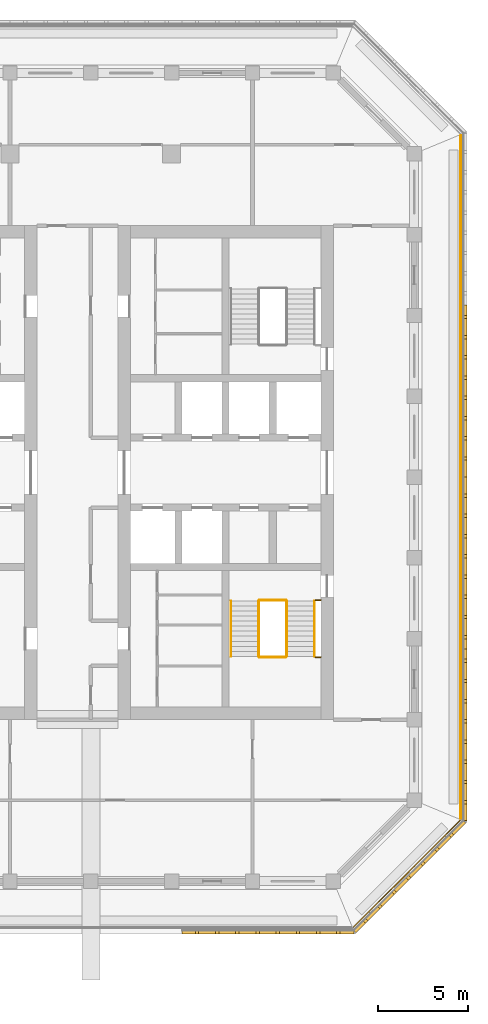
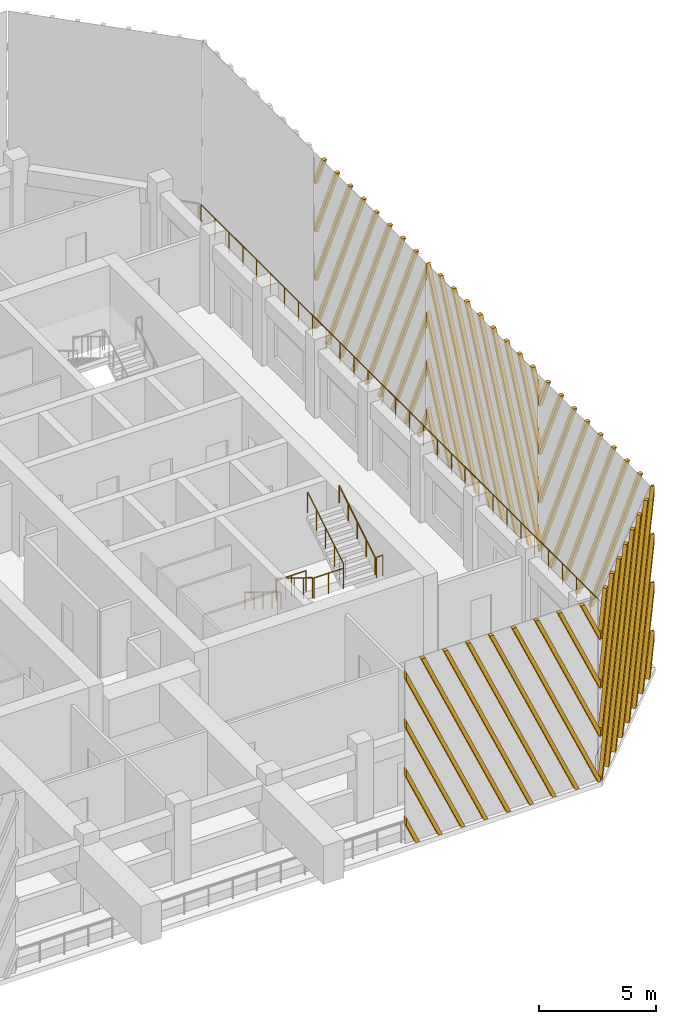
# One storey, part 12 of 16: 10 railings, 5 shading devices.
"""IFC4 building model written with IfcOpenShell, lengths in metres."""

from ifc_helpers import new_model, si_unit, direction, frame, origin, origin_2d, place, context, subcontext, project, spatial, polyline, circle, outline, extrude, source, transform, mapped, material, type_object, element, save


model = new_model("IFC4")

# Units and contexts
model_context = context("Model", 3, precision=1e-05, world=origin(), true_north=direction((0.0, 1.0)))
body_context = subcontext(model_context, "Body", "Model", "MODEL_VIEW")
ifc_project = project(units=[si_unit("LENGTHUNIT", "METRE"), si_unit("AREAUNIT", "SQUARE_METRE"), si_unit("VOLUMEUNIT", "CUBIC_METRE"), si_unit("PLANEANGLEUNIT", "RADIAN"), si_unit("MASSUNIT", "GRAM", prefix="KILO")], contexts=[model_context])

# Site, building, storey
site_placement = place(None, origin())
site = spatial("IfcSite", under=ifc_project, at=site_placement, CompositionType="ELEMENT")
building_placement = place(site_placement, origin())
building = spatial("IfcBuilding", under=site, at=building_placement, Name="Corbel Stack Research Tower", CompositionType="ELEMENT")
storey_placement = place(building_placement, frame((0.0, 0.0, 290.89990234375)))
storey = spatial("IfcBuildingStorey", under=building, at=storey_placement, Name="L66", CompositionType="ELEMENT", Elevation=290.89990234375)

# Railings
ifc_material_1 = material(Name="Steel S355", Category="steel")
railing_type_1 = type_object("IfcRailingType", Name="Stair guard 1100", PredefinedType="GUARDRAIL", material=ifc_material_1)
railing_1_placement = place(storey_placement, frame((13.85009765625, -2.39990234375, 0.1708984375)))
element("IfcRailing", 1, at=railing_1_placement, inside=storey, type_object=railing_type_1, Name="L66 ST-E1 stair guard 1", PredefinedType="GUARDRAIL", context=body_context, shape_type="SweptSolid", body=[
    extrude(circle(Radius=0.02392578125, at=origin_2d()), frame((0.0, 0.0, 1.076171875), z_axis=(0.0, -0.853666305674, 0.52082035152), x_axis=(1.0, 0.0, 0.0)), (0.0, 0.0, 1.0), 3.608154296875),
    extrude(circle(Radius=0.02099609375, at=origin_2d()), origin(), (0.0, 0.0, 1.0), 1.052001953125),
    extrude(circle(Radius=0.02099609375, at=origin_2d()), frame((0.0, -0.77001953125, 0.4697265625)), (0.0, 0.0, 1.0), 1.052001953125),
    extrude(circle(Radius=0.02099609375, at=origin_2d()), frame((0.0, -1.5400390625, 0.939453125)), (0.0, 0.0, 1.0), 1.052001953125),
    extrude(circle(Radius=0.02099609375, at=origin_2d()), frame((0.0, -2.31005859375, 1.409423828125)), (0.0, 0.0, 1.0), 1.052001953125),
    extrude(circle(Radius=0.02099609375, at=origin_2d()), frame((0.0, -3.080078125, 1.879150390625)), (0.0, 0.0, 1.0), 1.052001953125),
])
railing_2_placement = place(storey_placement, frame((13.89990234375, -5.530029296875, 2.050048828125)))
element("IfcRailing", 2, at=railing_2_placement, inside=storey, type_object=railing_type_1, Name="L66 ST-E1 stair guard 2", PredefinedType="GUARDRAIL", context=body_context, shape_type="SweptSolid", body=[
    extrude(circle(Radius=0.02392578125, at=origin_2d()), frame((0.0, 0.0, 1.076171875), z_axis=(1.0, 0.0, 0.0), x_axis=(0.0, 1.0, 0.0)), (0.0, 0.0, 1.0), 1.4501953125),
    extrude(circle(Radius=0.02099609375, at=origin_2d()), origin(), (0.0, 0.0, 1.0), 1.052001953125),
    extrude(circle(Radius=0.02099609375, at=origin_2d()), frame((0.72509765625, 0.0, 0.0)), (0.0, 0.0, 1.0), 1.052001953125),
    extrude(circle(Radius=0.02099609375, at=origin_2d()), frame((1.4501953125, 0.0, 0.0)), (0.0, 0.0, 1.0), 1.052001953125),
])
railing_3_placement = place(storey_placement, frame((17.0, -5.530029296875, 2.050048828125)))
element("IfcRailing", 3, at=railing_3_placement, inside=storey, type_object=railing_type_1, Name="L66 ST-E1 stair guard 3", PredefinedType="GUARDRAIL", context=body_context, shape_type="SweptSolid", body=[
    extrude(circle(Radius=0.02392578125, at=origin_2d()), frame((0.0, 0.0, 1.076171875), z_axis=(1.0, 0.0, 0.0), x_axis=(0.0, 1.0, 0.0)), (0.0, 0.0, 1.0), 0.300048828125),
    extrude(circle(Radius=0.02099609375, at=origin_2d()), origin(), (0.0, 0.0, 1.0), 1.052001953125),
    extrude(circle(Radius=0.02099609375, at=origin_2d()), frame((0.300048828125, 0.0, 0.0)), (0.0, 0.0, 1.0), 1.052001953125),
])
railing_4_placement = place(storey_placement, frame((15.39990234375, -5.47998046875, 2.220947265625)))
element("IfcRailing", 4, at=railing_4_placement, inside=storey, type_object=railing_type_1, Name="L66 ST-E1 stair guard 4", PredefinedType="GUARDRAIL", context=body_context, shape_type="SweptSolid", body=[
    extrude(circle(Radius=0.02392578125, at=origin_2d()), frame((0.0, 0.0, 1.076171875), z_axis=(0.0, 0.853666305674, 0.52082035152), x_axis=(-1.0, 0.0, 0.0)), (0.0, 0.0, 1.0), 3.608154296875),
    extrude(circle(Radius=0.02099609375, at=origin_2d()), origin(), (0.0, 0.0, 1.0), 1.052001953125),
    extrude(circle(Radius=0.02099609375, at=origin_2d()), frame((0.0, 0.77001953125, 0.4697265625)), (0.0, 0.0, 1.0), 1.052001953125),
    extrude(circle(Radius=0.02099609375, at=origin_2d()), frame((0.0, 1.5400390625, 0.939453125)), (0.0, 0.0, 1.0), 1.052001953125),
    extrude(circle(Radius=0.02099609375, at=origin_2d()), frame((0.0, 2.31005859375, 1.409423828125)), (0.0, 0.0, 1.0), 1.052001953125),
    extrude(circle(Radius=0.02099609375, at=origin_2d()), frame((0.0, 3.080078125, 1.879150390625)), (0.0, 0.0, 1.0), 1.052001953125),
])
railing_5_placement = place(storey_placement, frame((13.89990234375, -2.35009765625, 0.0)))
element("IfcRailing", 5, at=railing_5_placement, inside=storey, type_object=railing_type_1, Name="L66 ST-E1 stair guard 5", PredefinedType="GUARDRAIL", context=body_context, shape_type="SweptSolid", body=[
    extrude(circle(Radius=0.02392578125, at=origin_2d()), frame((0.0, 0.0, 1.076171875), z_axis=(1.0, 0.0, 0.0), x_axis=(0.0, 1.0, 0.0)), (0.0, 0.0, 1.0), 1.4501953125),
    extrude(circle(Radius=0.02099609375, at=origin_2d()), origin(), (0.0, 0.0, 1.0), 1.052001953125),
    extrude(circle(Radius=0.02099609375, at=origin_2d()), frame((0.72509765625, 0.0, 0.0)), (0.0, 0.0, 1.0), 1.052001953125),
    extrude(circle(Radius=0.02099609375, at=origin_2d()), frame((1.4501953125, 0.0, 0.0)), (0.0, 0.0, 1.0), 1.052001953125),
])
railing_6_placement = place(storey_placement, frame((17.0, -2.35009765625, 0.0)))
element("IfcRailing", 6, at=railing_6_placement, inside=storey, type_object=railing_type_1, Name="L66 ST-E1 stair guard 6", PredefinedType="GUARDRAIL", context=body_context, shape_type="SweptSolid", body=[
    extrude(circle(Radius=0.02392578125, at=origin_2d()), frame((0.0, 0.0, 1.076171875), z_axis=(1.0, 0.0, 0.0), x_axis=(0.0, 1.0, 0.0)), (0.0, 0.0, 1.0), 0.300048828125),
    extrude(circle(Radius=0.02099609375, at=origin_2d()), origin(), (0.0, 0.0, 1.0), 1.052001953125),
    extrude(circle(Radius=0.02099609375, at=origin_2d()), frame((0.300048828125, 0.0, 0.0)), (0.0, 0.0, 1.0), 1.052001953125),
])
ifc_material_2 = material(Name="Steel S355", Category="steel")
railing_type_2 = type_object("IfcRailingType", Name="Stair handrail 900", PredefinedType="HANDRAIL", material=ifc_material_2)
railing_7_placement = place(storey_placement, frame((12.300048828125, -2.39990234375, 0.1708984375)))
element("IfcRailing", 7, at=railing_7_placement, inside=storey, type_object=railing_type_2, Name="L66 ST-E1 stair handrail 1", PredefinedType="HANDRAIL", context=body_context, shape_type="SweptSolid", body=[
    extrude(circle(Radius=0.02392578125, at=origin_2d()), frame((0.0, 0.0, 0.8759765625), z_axis=(0.0, -0.853666305674, 0.52082035152), x_axis=(1.0, 0.0, 0.0)), (0.0, 0.0, 1.0), 3.608154296875),
    extrude(circle(Radius=0.02099609375, at=origin_2d()), origin(), (0.0, 0.0, 1.0), 0.851806640625),
    extrude(circle(Radius=0.02099609375, at=origin_2d()), frame((0.0, -0.77001953125, 0.4697265625)), (0.0, 0.0, 1.0), 0.851806640625),
    extrude(circle(Radius=0.02099609375, at=origin_2d()), frame((0.0, -1.5400390625, 0.939453125)), (0.0, 0.0, 1.0), 0.851806640625),
    extrude(circle(Radius=0.02099609375, at=origin_2d()), frame((0.0, -2.31005859375, 1.409423828125)), (0.0, 0.0, 1.0), 0.851806640625),
    extrude(circle(Radius=0.02099609375, at=origin_2d()), frame((0.0, -3.080078125, 1.879150390625)), (0.0, 0.0, 1.0), 0.851806640625),
])
railing_8_placement = place(storey_placement, frame((16.949951171875, -5.47998046875, 2.220947265625)))
element("IfcRailing", 8, at=railing_8_placement, inside=storey, type_object=railing_type_2, Name="L66 ST-E1 stair handrail 2", PredefinedType="HANDRAIL", context=body_context, shape_type="SweptSolid", body=[
    extrude(circle(Radius=0.02392578125, at=origin_2d()), frame((0.0, 0.0, 0.8759765625), z_axis=(0.0, 0.853666305674, 0.52082035152), x_axis=(-1.0, 0.0, 0.0)), (0.0, 0.0, 1.0), 3.608154296875),
    extrude(circle(Radius=0.02099609375, at=origin_2d()), origin(), (0.0, 0.0, 1.0), 0.851806640625),
    extrude(circle(Radius=0.02099609375, at=origin_2d()), frame((0.0, 0.77001953125, 0.4697265625)), (0.0, 0.0, 1.0), 0.851806640625),
    extrude(circle(Radius=0.02099609375, at=origin_2d()), frame((0.0, 1.5400390625, 0.939453125)), (0.0, 0.0, 1.0), 0.851806640625),
    extrude(circle(Radius=0.02099609375, at=origin_2d()), frame((0.0, 2.31005859375, 1.409423828125)), (0.0, 0.0, 1.0), 0.851806640625),
    extrude(circle(Radius=0.02099609375, at=origin_2d()), frame((0.0, 3.080078125, 1.879150390625)), (0.0, 0.0, 1.0), 0.851806640625),
])
ifc_material_3 = material(Name="Powder-coated steel guard", Category="steel")
railing_type_3 = type_object("IfcRailingType", Name="Steel and glass guard 1100", PredefinedType="GUARDRAIL", material=ifc_material_3)
railing_9_placement = place(storey_placement, frame((19.127685546875, -20.54931640625, 0.0)))
element("IfcRailing", 9, at=railing_9_placement, inside=storey, type_object=railing_type_3, Name="Loggia guard L66 SE", PredefinedType="GUARDRAIL", context=body_context, shape_type="SweptSolid", body=[
    extrude(circle(Radius=0.02392578125, at=origin_2d()), frame((0.0, 0.0, 1.076171875), z_axis=(0.707106781187, 0.707106781187, 0.0), x_axis=(-0.707106781187, 0.707106781187, 0.0)), (0.0, 0.0, 1.0), 8.37451171875),
    extrude(circle(Radius=0.02099609375, at=origin_2d()), origin(), (0.0, 0.0, 1.0), 1.052001953125),
    extrude(circle(Radius=0.02099609375, at=origin_2d()), frame((0.845947265625, 0.845947265625, 0.0)), (0.0, 0.0, 1.0), 1.052001953125),
    extrude(circle(Radius=0.02099609375, at=origin_2d()), frame((1.69189453125, 1.69189453125, 0.0)), (0.0, 0.0, 1.0), 1.052001953125),
    extrude(circle(Radius=0.02099609375, at=origin_2d()), frame((2.537841796875, 2.537841796875, 0.0)), (0.0, 0.0, 1.0), 1.052001953125),
    extrude(circle(Radius=0.02099609375, at=origin_2d()), frame((3.3837890625, 3.3837890625, 0.0)), (0.0, 0.0, 1.0), 1.052001953125),
    extrude(circle(Radius=0.02099609375, at=origin_2d()), frame((4.229736328125, 4.229736328125, 0.0)), (0.0, 0.0, 1.0), 1.052001953125),
    extrude(circle(Radius=0.02099609375, at=origin_2d()), frame((5.07568359375, 5.07568359375, 0.0)), (0.0, 0.0, 1.0), 1.052001953125),
    extrude(circle(Radius=0.02099609375, at=origin_2d()), frame((5.921630859375, 5.921630859375, 0.0)), (0.0, 0.0, 1.0), 1.052001953125),
])
railing_10_placement = place(storey_placement, frame((25.10009765625, -14.50537109375, 0.0)))
element("IfcRailing", 10, at=railing_10_placement, inside=storey, type_object=railing_type_3, Name="Loggia guard L66 E", PredefinedType="GUARDRAIL", context=body_context, shape_type="SweptSolid", body=[
    extrude(circle(Radius=0.02392578125, at=origin_2d()), frame((0.0, 0.0, 1.076171875), z_axis=(0.0, 1.0, 0.0), x_axis=(-1.0, 0.0, 0.0)), (0.0, 0.0, 1.0), 38.0107421875),
    extrude(circle(Radius=0.02099609375, at=origin_2d()), origin(), (0.0, 0.0, 1.0), 1.052001953125),
    extrude(circle(Radius=0.02099609375, at=origin_2d()), frame((0.0, 1.187744140625, 0.0)), (0.0, 0.0, 1.0), 1.052001953125),
    extrude(circle(Radius=0.02099609375, at=origin_2d()), frame((0.0, 2.375732421875, 0.0)), (0.0, 0.0, 1.0), 1.052001953125),
    extrude(circle(Radius=0.02099609375, at=origin_2d()), frame((0.0, 3.5634765625, 0.0)), (0.0, 0.0, 1.0), 1.052001953125),
    extrude(circle(Radius=0.02099609375, at=origin_2d()), frame((0.0, 4.75146484375, 0.0)), (0.0, 0.0, 1.0), 1.052001953125),
    extrude(circle(Radius=0.02099609375, at=origin_2d()), frame((0.0, 5.939208984375, 0.0)), (0.0, 0.0, 1.0), 1.052001953125),
    extrude(circle(Radius=0.02099609375, at=origin_2d()), frame((0.0, 7.126953125, 0.0)), (0.0, 0.0, 1.0), 1.052001953125),
    extrude(circle(Radius=0.02099609375, at=origin_2d()), frame((0.0, 8.31494140625, 0.0)), (0.0, 0.0, 1.0), 1.052001953125),
    extrude(circle(Radius=0.02099609375, at=origin_2d()), frame((0.0, 9.502685546875, 0.0)), (0.0, 0.0, 1.0), 1.052001953125),
    extrude(circle(Radius=0.02099609375, at=origin_2d()), frame((0.0, 10.6904296875, 0.0)), (0.0, 0.0, 1.0), 1.052001953125),
    extrude(circle(Radius=0.02099609375, at=origin_2d()), frame((0.0, 11.87841796875, 0.0)), (0.0, 0.0, 1.0), 1.052001953125),
    extrude(circle(Radius=0.02099609375, at=origin_2d()), frame((0.0, 13.066162109375, 0.0)), (0.0, 0.0, 1.0), 1.052001953125),
    extrude(circle(Radius=0.02099609375, at=origin_2d()), frame((0.0, 14.25390625, 0.0)), (0.0, 0.0, 1.0), 1.052001953125),
    extrude(circle(Radius=0.02099609375, at=origin_2d()), frame((0.0, 15.44189453125, 0.0)), (0.0, 0.0, 1.0), 1.052001953125),
    extrude(circle(Radius=0.02099609375, at=origin_2d()), frame((0.0, 16.629638671875, 0.0)), (0.0, 0.0, 1.0), 1.052001953125),
    extrude(circle(Radius=0.02099609375, at=origin_2d()), frame((0.0, 17.817626953125, 0.0)), (0.0, 0.0, 1.0), 1.052001953125),
    extrude(circle(Radius=0.02099609375, at=origin_2d()), frame((0.0, 19.00537109375, 0.0)), (0.0, 0.0, 1.0), 1.052001953125),
    extrude(circle(Radius=0.02099609375, at=origin_2d()), frame((0.0, 20.193115234375, 0.0)), (0.0, 0.0, 1.0), 1.052001953125),
    extrude(circle(Radius=0.02099609375, at=origin_2d()), frame((0.0, 21.381103515625, 0.0)), (0.0, 0.0, 1.0), 1.052001953125),
    extrude(circle(Radius=0.02099609375, at=origin_2d()), frame((0.0, 22.56884765625, 0.0)), (0.0, 0.0, 1.0), 1.052001953125),
    extrude(circle(Radius=0.02099609375, at=origin_2d()), frame((0.0, 23.7568359375, 0.0)), (0.0, 0.0, 1.0), 1.052001953125),
    extrude(circle(Radius=0.02099609375, at=origin_2d()), frame((0.0, 24.944580078125, 0.0)), (0.0, 0.0, 1.0), 1.052001953125),
    extrude(circle(Radius=0.02099609375, at=origin_2d()), frame((0.0, 26.13232421875, 0.0)), (0.0, 0.0, 1.0), 1.052001953125),
    extrude(circle(Radius=0.02099609375, at=origin_2d()), frame((0.0, 27.3203125, 0.0)), (0.0, 0.0, 1.0), 1.052001953125),
    extrude(circle(Radius=0.02099609375, at=origin_2d()), frame((0.0, 28.508056640625, 0.0)), (0.0, 0.0, 1.0), 1.052001953125),
    extrude(circle(Radius=0.02099609375, at=origin_2d()), frame((0.0, 29.69580078125, 0.0)), (0.0, 0.0, 1.0), 1.052001953125),
    extrude(circle(Radius=0.02099609375, at=origin_2d()), frame((0.0, 30.8837890625, 0.0)), (0.0, 0.0, 1.0), 1.052001953125),
    extrude(circle(Radius=0.02099609375, at=origin_2d()), frame((0.0, 32.071533203125, 0.0)), (0.0, 0.0, 1.0), 1.052001953125),
    extrude(circle(Radius=0.02099609375, at=origin_2d()), frame((0.0, 33.25927734375, 0.0)), (0.0, 0.0, 1.0), 1.052001953125),
    extrude(circle(Radius=0.02099609375, at=origin_2d()), frame((0.0, 34.447265625, 0.0)), (0.0, 0.0, 1.0), 1.052001953125),
    extrude(circle(Radius=0.02099609375, at=origin_2d()), frame((0.0, 35.635009765625, 0.0)), (0.0, 0.0, 1.0), 1.052001953125),
    extrude(circle(Radius=0.02099609375, at=origin_2d()), frame((0.0, 36.822998046875, 0.0)), (0.0, 0.0, 1.0), 1.052001953125),
    extrude(circle(Radius=0.02099609375, at=origin_2d()), frame((0.0, 38.0107421875, 0.0)), (0.0, 0.0, 1.0), 1.052001953125),
])

# Shading devices
ifc_material_4 = material(Name="Precast terracotta", Category="masonry")
shading_device_type = type_object("IfcShadingDeviceType", Name="Terracotta screen panel", PredefinedType="USERDEFINED", material=ifc_material_4)
shared_shape_1 = source(origin(), body_context, "Body", "SweptSolid", [
    extrude(outline(polyline([(0.66455078125, 0.0), (0.0, 1.49267578125), (0.0, 1.06591796875), (0.474609375, 0.0), (0.66455078125, 0.0)])), frame((0.0, 0.0, 0.0), z_axis=(0.0, -1.0, 0.0), x_axis=(1.0, 0.0, 0.0)), (0.0, 0.0, 1.0), 0.179931640625),
    extrude(outline(polyline([(1.78955078125, 0.0), (0.0, 4.019287109375), (0.0, 3.592529296875), (1.599609375, 0.0), (1.78955078125, 0.0)])), frame((0.0, 0.0, 0.0), z_axis=(0.0, -1.0, 0.0), x_axis=(1.0, 0.0, 0.0)), (0.0, 0.0, 1.0), 0.179931640625),
    extrude(outline(polyline([(2.91455078125, 0.0), (0.0, 6.546142578125), (0.0, 6.119384765625), (2.724609375, 0.0), (2.91455078125, 0.0)])), frame((0.0, 0.0, 0.0), z_axis=(0.0, -1.0, 0.0), x_axis=(1.0, 0.0, 0.0)), (0.0, 0.0, 1.0), 0.179931640625),
    extrude(outline(polyline([(4.03955078125, 0.0), (0.0, 9.072998046875), (0.0, 8.646240234375), (3.849609375, 0.0), (4.03955078125, 0.0)])), frame((0.0, 0.0, 0.0), z_axis=(0.0, -1.0, 0.0), x_axis=(1.0, 0.0, 0.0)), (0.0, 0.0, 1.0), 0.179931640625),
    extrude(outline(polyline([(5.16455078125, 0.0), (0.934814453125, 9.5), (0.744873046875, 9.5), (4.974609375, 0.0), (5.16455078125, 0.0)])), frame((0.0, 0.0, 0.0), z_axis=(0.0, -1.0, 0.0), x_axis=(1.0, 0.0, 0.0)), (0.0, 0.0, 1.0), 0.179931640625),
    extrude(outline(polyline([(6.28955078125, 0.0), (2.059814453125, 9.5), (1.869873046875, 9.5), (6.099609375, 0.0), (6.28955078125, 0.0)])), frame((0.0, 0.0, 0.0), z_axis=(0.0, -1.0, 0.0), x_axis=(1.0, 0.0, 0.0)), (0.0, 0.0, 1.0), 0.179931640625),
    extrude(outline(polyline([(7.41455078125, 0.0), (3.184814453125, 9.5), (2.994873046875, 9.5), (7.224609375, 0.0), (7.41455078125, 0.0)])), frame((0.0, 0.0, 0.0), z_axis=(0.0, -1.0, 0.0), x_axis=(1.0, 0.0, 0.0)), (0.0, 0.0, 1.0), 0.179931640625),
    extrude(outline(polyline([(8.53955078125, 0.0), (4.309814453125, 9.5), (4.119873046875, 9.5), (8.349609375, 0.0), (8.53955078125, 0.0)])), frame((0.0, 0.0, 0.0), z_axis=(0.0, -1.0, 0.0), x_axis=(1.0, 0.0, 0.0)), (0.0, 0.0, 1.0), 0.179931640625),
    extrude(outline(polyline([(9.569580078125, 0.0), (9.569580078125, 0.21337890625), (5.434814453125, 9.5), (5.244873046875, 9.5), (9.474609375, 0.0), (9.569580078125, 0.0)])), frame((0.0, 0.0, 0.0), z_axis=(0.0, -1.0, 0.0), x_axis=(1.0, 0.0, 0.0)), (0.0, 0.0, 1.0), 0.179931640625),
    extrude(outline(polyline([(6.559814453125, 9.5), (6.369873046875, 9.5), (9.569580078125, 2.3134765625), (9.569580078125, 2.740234375), (6.559814453125, 9.5)])), frame((0.0, 0.0, 0.0), z_axis=(0.0, -1.0, 0.0), x_axis=(1.0, 0.0, 0.0)), (0.0, 0.0, 1.0), 0.179931640625),
    extrude(outline(polyline([(7.684814453125, 9.5), (7.494873046875, 9.5), (9.569580078125, 4.840087890625), (9.569580078125, 5.26708984375), (7.684814453125, 9.5)])), frame((0.0, 0.0, 0.0), z_axis=(0.0, -1.0, 0.0), x_axis=(1.0, 0.0, 0.0)), (0.0, 0.0, 1.0), 0.179931640625),
    extrude(outline(polyline([(8.809814453125, 9.5), (8.619873046875, 9.5), (9.569580078125, 7.366943359375), (9.569580078125, 7.793701171875), (8.809814453125, 9.5)])), frame((0.0, 0.0, 0.0), z_axis=(0.0, -1.0, 0.0), x_axis=(1.0, 0.0, 0.0)), (0.0, 0.0, 1.0), 0.179931640625),
])
shading_device_1_placement = place(storey_placement, frame((9.569580078125, -20.75, 0.0), z_axis=(0.0, 0.0, 1.0), x_axis=(1.0, 0.0, 0.0)))
element("IfcShadingDevice", 11, at=shading_device_1_placement, inside=storey, type_object=shading_device_type, Name="Terracotta screen L66 S4", ObjectType="SCREEN", PredefinedType="USERDEFINED", context=body_context, shape_type="MappedRepresentation", body=[
    mapped(shared_shape_1, transform((0.0, 0.0, 0.0))),
])
shared_shape_2 = source(origin(), body_context, "Body", "SweptSolid", [
    extrude(outline(polyline([(0.94970703125, 9.5), (0.759765625, 9.5), (0.0, 7.793701171875), (0.0, 7.366943359375), (0.94970703125, 9.5)])), frame((0.0, 0.0, 0.0), z_axis=(0.0, -1.0, 0.0), x_axis=(1.0, 0.0, 0.0)), (0.0, 0.0, 1.0), 0.179931640625),
    extrude(outline(polyline([(2.07470703125, 9.5), (1.884765625, 9.5), (0.0, 5.26708984375), (0.0, 4.840087890625), (2.07470703125, 9.5)])), frame((0.0, 0.0, 0.0), z_axis=(0.0, -1.0, 0.0), x_axis=(1.0, 0.0, 0.0)), (0.0, 0.0, 1.0), 0.179931640625),
    extrude(outline(polyline([(3.19970703125, 9.5), (3.009765625, 9.5), (0.0, 2.740234375), (0.0, 2.3134765625), (3.19970703125, 9.5)])), frame((0.0, 0.0, 0.0), z_axis=(0.0, -1.0, 0.0), x_axis=(1.0, 0.0, 0.0)), (0.0, 0.0, 1.0), 0.179931640625),
    extrude(outline(polyline([(0.094970703125, 0.0), (4.32470703125, 9.5), (4.134765625, 9.5), (0.0, 0.21337890625), (0.0, 0.0), (0.094970703125, 0.0)])), frame((0.0, 0.0, 0.0), z_axis=(0.0, -1.0, 0.0), x_axis=(1.0, 0.0, 0.0)), (0.0, 0.0, 1.0), 0.179931640625),
    extrude(outline(polyline([(1.219970703125, 0.0), (5.44970703125, 9.5), (5.259765625, 9.5), (1.030029296875, 0.0), (1.219970703125, 0.0)])), frame((0.0, 0.0, 0.0), z_axis=(0.0, -1.0, 0.0), x_axis=(1.0, 0.0, 0.0)), (0.0, 0.0, 1.0), 0.179931640625),
    extrude(outline(polyline([(2.344970703125, 0.0), (6.57470703125, 9.5), (6.384765625, 9.5), (2.155029296875, 0.0), (2.344970703125, 0.0)])), frame((0.0, 0.0, 0.0), z_axis=(0.0, -1.0, 0.0), x_axis=(1.0, 0.0, 0.0)), (0.0, 0.0, 1.0), 0.179931640625),
    extrude(outline(polyline([(3.469970703125, 0.0), (7.69970703125, 9.5), (7.509765625, 9.5), (3.280029296875, 0.0), (3.469970703125, 0.0)])), frame((0.0, 0.0, 0.0), z_axis=(0.0, -1.0, 0.0), x_axis=(1.0, 0.0, 0.0)), (0.0, 0.0, 1.0), 0.179931640625),
    extrude(outline(polyline([(4.594970703125, 0.0), (8.64208984375, 9.090087890625), (8.64208984375, 9.5), (8.634765625, 9.5), (4.405029296875, 0.0), (4.594970703125, 0.0)])), frame((0.0, 0.0, 0.0), z_axis=(0.0, -1.0, 0.0), x_axis=(1.0, 0.0, 0.0)), (0.0, 0.0, 1.0), 0.179931640625),
    extrude(outline(polyline([(5.719970703125, 0.0), (8.64208984375, 6.563232421875), (8.64208984375, 6.989990234375), (5.530029296875, 0.0), (5.719970703125, 0.0)])), frame((0.0, 0.0, 0.0), z_axis=(0.0, -1.0, 0.0), x_axis=(1.0, 0.0, 0.0)), (0.0, 0.0, 1.0), 0.179931640625),
    extrude(outline(polyline([(6.844970703125, 0.0), (8.64208984375, 4.036376953125), (8.64208984375, 4.463134765625), (6.655029296875, 0.0), (6.844970703125, 0.0)])), frame((0.0, 0.0, 0.0), z_axis=(0.0, -1.0, 0.0), x_axis=(1.0, 0.0, 0.0)), (0.0, 0.0, 1.0), 0.179931640625),
    extrude(outline(polyline([(7.969970703125, 0.0), (8.64208984375, 1.509521484375), (8.64208984375, 1.936279296875), (7.780029296875, 0.0), (7.969970703125, 0.0)])), frame((0.0, 0.0, 0.0), z_axis=(0.0, -1.0, 0.0), x_axis=(1.0, 0.0, 0.0)), (0.0, 0.0, 1.0), 0.179931640625),
])
shading_device_2_placement = place(storey_placement, frame((19.13916015625, -20.75, 0.0), z_axis=(0.0, 0.0, 1.0), x_axis=(0.707106781187, 0.707106781187, 0.0)))
element("IfcShadingDevice", 12, at=shading_device_2_placement, inside=storey, type_object=shading_device_type, Name="Terracotta screen L66 SE1", ObjectType="SCREEN", PredefinedType="USERDEFINED", context=body_context, shape_type="MappedRepresentation", body=[
    mapped(shared_shape_2, transform((0.0, 0.0, 0.0))),
])
shared_shape_3 = source(origin(), body_context, "Body", "SweptSolid", [
    extrude(outline(polyline([(0.862060546875, 0.0), (0.0, 1.936279296875), (0.0, 1.509521484375), (0.672119140625, 0.0), (0.862060546875, 0.0)])), frame((0.0, 0.0, 0.0), z_axis=(0.0, -1.0, 0.0), x_axis=(1.0, 0.0, 0.0)), (0.0, 0.0, 1.0), 0.179931640625),
    extrude(outline(polyline([(1.987060546875, 0.0), (0.0, 4.463134765625), (0.0, 4.036376953125), (1.797119140625, 0.0), (1.987060546875, 0.0)])), frame((0.0, 0.0, 0.0), z_axis=(0.0, -1.0, 0.0), x_axis=(1.0, 0.0, 0.0)), (0.0, 0.0, 1.0), 0.179931640625),
    extrude(outline(polyline([(3.112060546875, 0.0), (0.0, 6.989990234375), (0.0, 6.563232421875), (2.922119140625, 0.0), (3.112060546875, 0.0)])), frame((0.0, 0.0, 0.0), z_axis=(0.0, -1.0, 0.0), x_axis=(1.0, 0.0, 0.0)), (0.0, 0.0, 1.0), 0.179931640625),
    extrude(outline(polyline([(4.237060546875, 0.0), (0.007568359375, 9.5), (0.0, 9.5), (0.0, 9.090087890625), (4.047119140625, 0.0), (4.237060546875, 0.0)])), frame((0.0, 0.0, 0.0), z_axis=(0.0, -1.0, 0.0), x_axis=(1.0, 0.0, 0.0)), (0.0, 0.0, 1.0), 0.179931640625),
    extrude(outline(polyline([(5.362060546875, 0.0), (1.132568359375, 9.5), (0.9423828125, 9.5), (5.172119140625, 0.0), (5.362060546875, 0.0)])), frame((0.0, 0.0, 0.0), z_axis=(0.0, -1.0, 0.0), x_axis=(1.0, 0.0, 0.0)), (0.0, 0.0, 1.0), 0.179931640625),
    extrude(outline(polyline([(6.487060546875, 0.0), (2.257568359375, 9.5), (2.0673828125, 9.5), (6.297119140625, 0.0), (6.487060546875, 0.0)])), frame((0.0, 0.0, 0.0), z_axis=(0.0, -1.0, 0.0), x_axis=(1.0, 0.0, 0.0)), (0.0, 0.0, 1.0), 0.179931640625),
    extrude(outline(polyline([(7.612060546875, 0.0), (3.382568359375, 9.5), (3.1923828125, 9.5), (7.422119140625, 0.0), (7.612060546875, 0.0)])), frame((0.0, 0.0, 0.0), z_axis=(0.0, -1.0, 0.0), x_axis=(1.0, 0.0, 0.0)), (0.0, 0.0, 1.0), 0.179931640625),
    extrude(outline(polyline([(8.737060546875, 0.0), (4.507568359375, 9.5), (4.3173828125, 9.5), (8.547119140625, 0.0), (8.737060546875, 0.0)])), frame((0.0, 0.0, 0.0), z_axis=(0.0, -1.0, 0.0), x_axis=(1.0, 0.0, 0.0)), (0.0, 0.0, 1.0), 0.179931640625),
    extrude(outline(polyline([(5.632568359375, 9.5), (5.4423828125, 9.5), (9.569580078125, 0.23046875), (9.569580078125, 0.6572265625), (5.632568359375, 9.5)])), frame((0.0, 0.0, 0.0), z_axis=(0.0, -1.0, 0.0), x_axis=(1.0, 0.0, 0.0)), (0.0, 0.0, 1.0), 0.179931640625),
    extrude(outline(polyline([(6.757568359375, 9.5), (6.5673828125, 9.5), (9.569580078125, 2.757080078125), (9.569580078125, 3.18408203125), (6.757568359375, 9.5)])), frame((0.0, 0.0, 0.0), z_axis=(0.0, -1.0, 0.0), x_axis=(1.0, 0.0, 0.0)), (0.0, 0.0, 1.0), 0.179931640625),
    extrude(outline(polyline([(7.882568359375, 9.5), (7.6923828125, 9.5), (9.569580078125, 5.283935546875), (9.569580078125, 5.710693359375), (7.882568359375, 9.5)])), frame((0.0, 0.0, 0.0), z_axis=(0.0, -1.0, 0.0), x_axis=(1.0, 0.0, 0.0)), (0.0, 0.0, 1.0), 0.179931640625),
    extrude(outline(polyline([(9.007568359375, 9.5), (8.8173828125, 9.5), (9.569580078125, 7.810791015625), (9.569580078125, 8.237548828125), (9.007568359375, 9.5)])), frame((0.0, 0.0, 0.0), z_axis=(0.0, -1.0, 0.0), x_axis=(1.0, 0.0, 0.0)), (0.0, 0.0, 1.0), 0.179931640625),
])
for number, where, z_axis, x_axis, name in (
    (13, (25.25, -14.63916015625, 0.0), (0.0, 0.0, 1.0), (0.0, 1.0, 0.0), "Terracotta screen L66 E1"),
    (14, (25.25, 4.5, 0.0), (0.0, 0.0, 1.0), (0.0, 1.0, 0.0), "Terracotta screen L66 E3"),
):
    element("IfcShadingDevice", number, at=place(storey_placement, frame(where, z_axis=z_axis, x_axis=x_axis)), inside=storey, type_object=shading_device_type, Name=name, ObjectType="SCREEN", PredefinedType="USERDEFINED", context=body_context, shape_type="MappedRepresentation", body=[
        mapped(shared_shape_3, transform((0.0, 0.0, 0.0))),
    ])
shared_shape_4 = source(origin(), body_context, "Body", "SweptSolid", [
    extrude(outline(polyline([(0.752197265625, 9.5), (0.56201171875, 9.5), (0.0, 8.237548828125), (0.0, 7.810791015625), (0.752197265625, 9.5)])), frame((0.0, 0.0, 0.0), z_axis=(0.0, -1.0, 0.0), x_axis=(1.0, 0.0, 0.0)), (0.0, 0.0, 1.0), 0.179931640625),
    extrude(outline(polyline([(1.877197265625, 9.5), (1.68701171875, 9.5), (0.0, 5.710693359375), (0.0, 5.283935546875), (1.877197265625, 9.5)])), frame((0.0, 0.0, 0.0), z_axis=(0.0, -1.0, 0.0), x_axis=(1.0, 0.0, 0.0)), (0.0, 0.0, 1.0), 0.179931640625),
    extrude(outline(polyline([(3.002197265625, 9.5), (2.81201171875, 9.5), (0.0, 3.18408203125), (0.0, 2.757080078125), (3.002197265625, 9.5)])), frame((0.0, 0.0, 0.0), z_axis=(0.0, -1.0, 0.0), x_axis=(1.0, 0.0, 0.0)), (0.0, 0.0, 1.0), 0.179931640625),
    extrude(outline(polyline([(4.127197265625, 9.5), (3.93701171875, 9.5), (0.0, 0.6572265625), (0.0, 0.23046875), (4.127197265625, 9.5)])), frame((0.0, 0.0, 0.0), z_axis=(0.0, -1.0, 0.0), x_axis=(1.0, 0.0, 0.0)), (0.0, 0.0, 1.0), 0.179931640625),
    extrude(outline(polyline([(1.0224609375, 0.0), (5.252197265625, 9.5), (5.06201171875, 9.5), (0.83251953125, 0.0), (1.0224609375, 0.0)])), frame((0.0, 0.0, 0.0), z_axis=(0.0, -1.0, 0.0), x_axis=(1.0, 0.0, 0.0)), (0.0, 0.0, 1.0), 0.179931640625),
    extrude(outline(polyline([(2.1474609375, 0.0), (6.377197265625, 9.5), (6.18701171875, 9.5), (1.95751953125, 0.0), (2.1474609375, 0.0)])), frame((0.0, 0.0, 0.0), z_axis=(0.0, -1.0, 0.0), x_axis=(1.0, 0.0, 0.0)), (0.0, 0.0, 1.0), 0.179931640625),
    extrude(outline(polyline([(3.2724609375, 0.0), (7.502197265625, 9.5), (7.31201171875, 9.5), (3.08251953125, 0.0), (3.2724609375, 0.0)])), frame((0.0, 0.0, 0.0), z_axis=(0.0, -1.0, 0.0), x_axis=(1.0, 0.0, 0.0)), (0.0, 0.0, 1.0), 0.179931640625),
    extrude(outline(polyline([(4.3974609375, 0.0), (8.627197265625, 9.5), (8.43701171875, 9.5), (4.20751953125, 0.0), (4.3974609375, 0.0)])), frame((0.0, 0.0, 0.0), z_axis=(0.0, -1.0, 0.0), x_axis=(1.0, 0.0, 0.0)), (0.0, 0.0, 1.0), 0.179931640625),
    extrude(outline(polyline([(5.5224609375, 0.0), (9.569580078125, 9.090087890625), (9.569580078125, 9.5), (9.56201171875, 9.5), (5.33251953125, 0.0), (5.5224609375, 0.0)])), frame((0.0, 0.0, 0.0), z_axis=(0.0, -1.0, 0.0), x_axis=(1.0, 0.0, 0.0)), (0.0, 0.0, 1.0), 0.179931640625),
    extrude(outline(polyline([(6.6474609375, 0.0), (9.569580078125, 6.563232421875), (9.569580078125, 6.989990234375), (6.45751953125, 0.0), (6.6474609375, 0.0)])), frame((0.0, 0.0, 0.0), z_axis=(0.0, -1.0, 0.0), x_axis=(1.0, 0.0, 0.0)), (0.0, 0.0, 1.0), 0.179931640625),
    extrude(outline(polyline([(7.7724609375, 0.0), (9.569580078125, 4.036376953125), (9.569580078125, 4.463134765625), (7.58251953125, 0.0), (7.7724609375, 0.0)])), frame((0.0, 0.0, 0.0), z_axis=(0.0, -1.0, 0.0), x_axis=(1.0, 0.0, 0.0)), (0.0, 0.0, 1.0), 0.179931640625),
    extrude(outline(polyline([(8.8974609375, 0.0), (9.569580078125, 1.509521484375), (9.569580078125, 1.936279296875), (8.70751953125, 0.0), (8.8974609375, 0.0)])), frame((0.0, 0.0, 0.0), z_axis=(0.0, -1.0, 0.0), x_axis=(1.0, 0.0, 0.0)), (0.0, 0.0, 1.0), 0.179931640625),
])
shading_device_3_placement = place(storey_placement, frame((25.25, -5.069580078125, 0.0), z_axis=(0.0, 0.0, 1.0), x_axis=(0.0, 1.0, 0.0)))
element("IfcShadingDevice", 15, at=shading_device_3_placement, inside=storey, type_object=shading_device_type, Name="Terracotta screen L66 E2", ObjectType="SCREEN", PredefinedType="USERDEFINED", context=body_context, shape_type="MappedRepresentation", body=[
    mapped(shared_shape_4, transform((0.0, 0.0, 0.0))),
])

save(model, "model.ifc")
